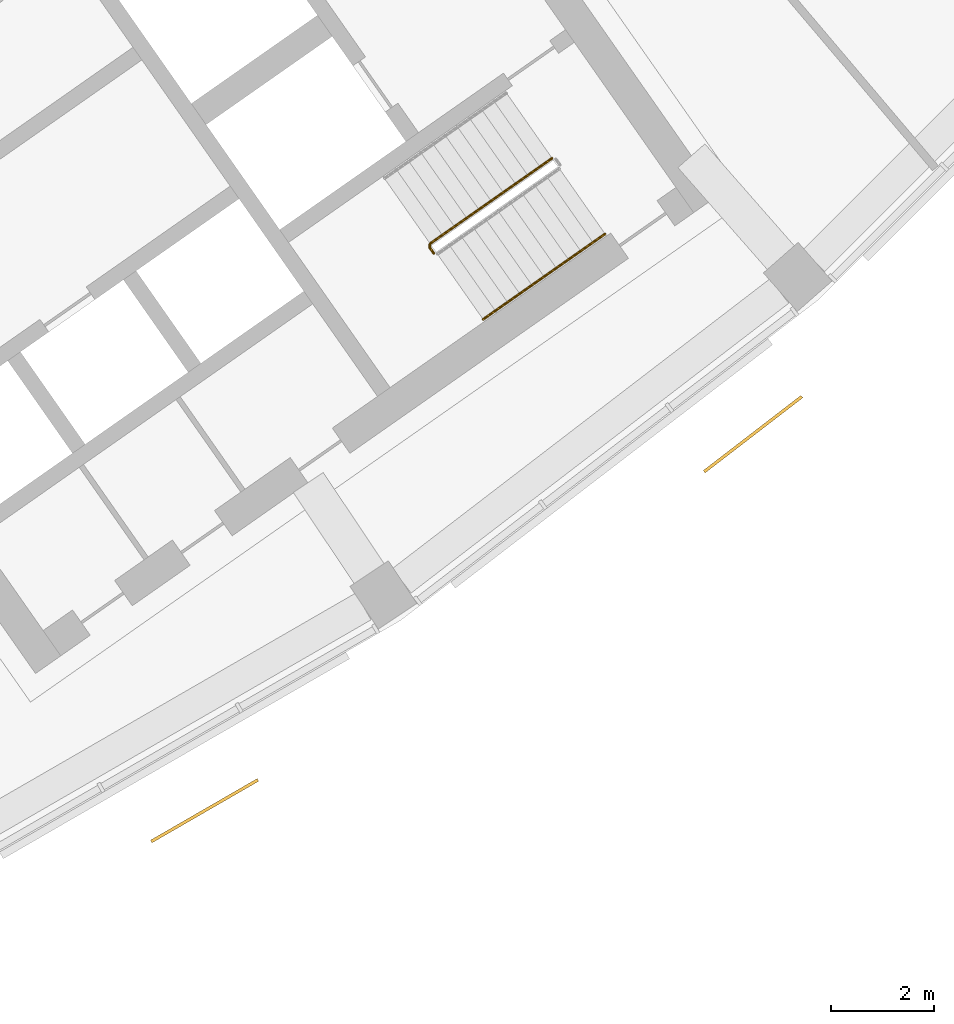
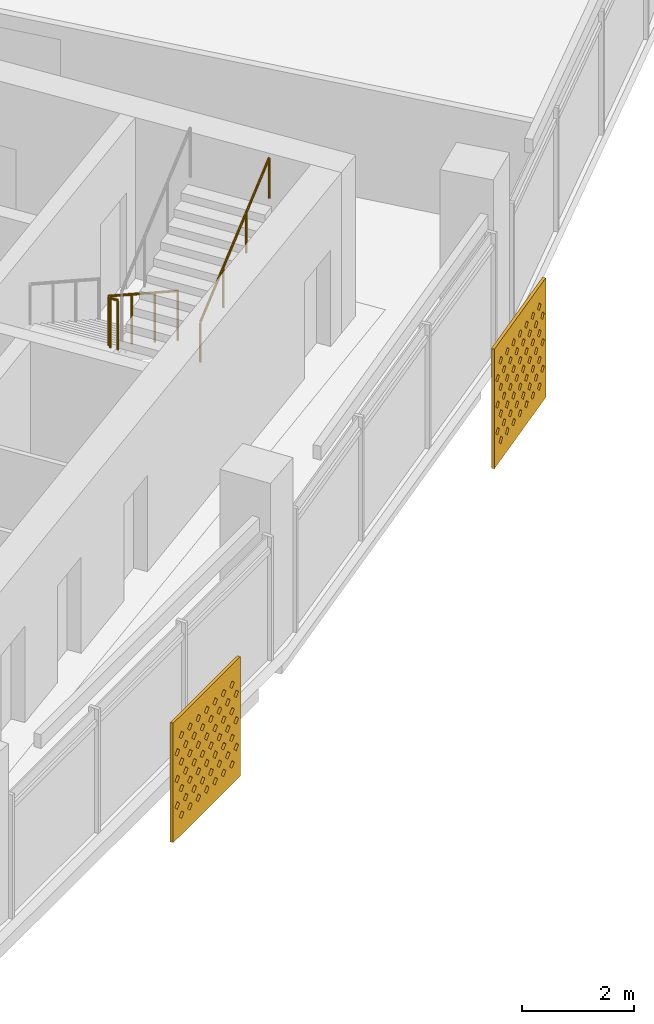
# One storey, part 27 of 28: 2 railings, 2 shading devices.
"""IFC4 building model written with IfcOpenShell, lengths in metres."""

from ifc_helpers import new_model, si_unit, direction, frame, origin, origin_2d, place, context, subcontext, project, spatial, polyline, circle, outline, extrude, material, material_profile, profile_set, type_object, element, save


model = new_model("IFC4")

# Units and contexts
model_context = context("Model", 3, precision=1e-05, world=origin(), true_north=direction((0.0, 1.0)))
body_context = subcontext(model_context, "Body", "Model", "MODEL_VIEW")
ifc_project = project(units=[si_unit("LENGTHUNIT", "METRE"), si_unit("AREAUNIT", "SQUARE_METRE"), si_unit("VOLUMEUNIT", "CUBIC_METRE"), si_unit("PLANEANGLEUNIT", "RADIAN"), si_unit("MASSUNIT", "GRAM", prefix="KILO")], contexts=[model_context])

# Site, building, storey
site_placement = place(None, origin())
site = spatial("IfcSite", under=ifc_project, at=site_placement, CompositionType="ELEMENT")
building_placement = place(site_placement, origin())
building = spatial("IfcBuilding", under=site, at=building_placement, Name="Qamariyya Broadcast Tower", CompositionType="ELEMENT")
storey_placement = place(building_placement, frame((0.0, 0.0, 277.10009765625)))
storey = spatial("IfcBuildingStorey", under=building, at=storey_placement, Name="L67", CompositionType="ELEMENT", Elevation=277.10009765625)

# Shading devices
ifc_material_1 = material(Name="Perforated glazed terracotta", Category="masonry")
ifc_material_profile = material_profile(ifc_material_1, outline(polyline([(-1.199951171875, -1.300048828125), (1.199951171875, -1.300048828125), (1.199951171875, 1.300048828125), (-1.199951171875, 1.300048828125), (-1.199951171875, -1.300048828125)]), holes=[polyline([(-0.81494140625, -0.86669921875), (-0.89990234375, -0.78173828125), (-0.985107421875, -0.86669921875), (-0.89990234375, -0.95166015625), (-0.81494140625, -0.86669921875)]), polyline([(-0.514892578125, -0.86669921875), (-0.60009765625, -0.78173828125), (-0.68505859375, -0.86669921875), (-0.60009765625, -0.95166015625), (-0.514892578125, -0.86669921875)]), polyline([(-0.215087890625, -0.86669921875), (-0.300048828125, -0.78173828125), (-0.385009765625, -0.86669921875), (-0.300048828125, -0.95166015625), (-0.215087890625, -0.86669921875)]), polyline([(0.0849609375, -0.86669921875), (0.0, -0.78173828125), (-0.0849609375, -0.86669921875), (0.0, -0.95166015625), (0.0849609375, -0.86669921875)]), polyline([(0.385009765625, -0.86669921875), (0.300048828125, -0.78173828125), (0.215087890625, -0.86669921875), (0.300048828125, -0.95166015625), (0.385009765625, -0.86669921875)]), polyline([(0.68505859375, -0.86669921875), (0.60009765625, -0.78173828125), (0.514892578125, -0.86669921875), (0.60009765625, -0.95166015625), (0.68505859375, -0.86669921875)]), polyline([(0.985107421875, -0.86669921875), (0.89990234375, -0.78173828125), (0.81494140625, -0.86669921875), (0.89990234375, -0.95166015625), (0.985107421875, -0.86669921875)]), polyline([(-0.965087890625, -0.577880859375), (-1.050048828125, -0.49267578125), (-1.135009765625, -0.577880859375), (-1.050048828125, -0.662841796875), (-0.965087890625, -0.577880859375)]), polyline([(-0.6650390625, -0.577880859375), (-0.75, -0.49267578125), (-0.8349609375, -0.577880859375), (-0.75, -0.662841796875), (-0.6650390625, -0.577880859375)]), polyline([(-0.364990234375, -0.577880859375), (-0.449951171875, -0.49267578125), (-0.534912109375, -0.577880859375), (-0.449951171875, -0.662841796875), (-0.364990234375, -0.577880859375)]), polyline([(-0.06494140625, -0.577880859375), (-0.14990234375, -0.49267578125), (-0.235107421875, -0.577880859375), (-0.14990234375, -0.662841796875), (-0.06494140625, -0.577880859375)]), polyline([(0.235107421875, -0.577880859375), (0.14990234375, -0.49267578125), (0.06494140625, -0.577880859375), (0.14990234375, -0.662841796875), (0.235107421875, -0.577880859375)]), polyline([(0.534912109375, -0.577880859375), (0.449951171875, -0.49267578125), (0.364990234375, -0.577880859375), (0.449951171875, -0.662841796875), (0.534912109375, -0.577880859375)]), polyline([(0.8349609375, -0.577880859375), (0.75, -0.49267578125), (0.6650390625, -0.577880859375), (0.75, -0.662841796875), (0.8349609375, -0.577880859375)]), polyline([(1.135009765625, -0.577880859375), (1.050048828125, -0.49267578125), (0.965087890625, -0.577880859375), (1.050048828125, -0.662841796875), (1.135009765625, -0.577880859375)]), polyline([(-0.81494140625, -0.288818359375), (-0.89990234375, -0.203857421875), (-0.985107421875, -0.288818359375), (-0.89990234375, -0.373779296875), (-0.81494140625, -0.288818359375)]), polyline([(-0.514892578125, -0.288818359375), (-0.60009765625, -0.203857421875), (-0.68505859375, -0.288818359375), (-0.60009765625, -0.373779296875), (-0.514892578125, -0.288818359375)]), polyline([(-0.215087890625, -0.288818359375), (-0.300048828125, -0.203857421875), (-0.385009765625, -0.288818359375), (-0.300048828125, -0.373779296875), (-0.215087890625, -0.288818359375)]), polyline([(0.0849609375, -0.288818359375), (0.0, -0.203857421875), (-0.0849609375, -0.288818359375), (0.0, -0.373779296875), (0.0849609375, -0.288818359375)]), polyline([(0.385009765625, -0.288818359375), (0.300048828125, -0.203857421875), (0.215087890625, -0.288818359375), (0.300048828125, -0.373779296875), (0.385009765625, -0.288818359375)]), polyline([(0.68505859375, -0.288818359375), (0.60009765625, -0.203857421875), (0.514892578125, -0.288818359375), (0.60009765625, -0.373779296875), (0.68505859375, -0.288818359375)]), polyline([(0.985107421875, -0.288818359375), (0.89990234375, -0.203857421875), (0.81494140625, -0.288818359375), (0.89990234375, -0.373779296875), (0.985107421875, -0.288818359375)]), polyline([(-0.965087890625, 0.0), (-1.050048828125, 0.0849609375), (-1.135009765625, 0.0), (-1.050048828125, -0.0849609375), (-0.965087890625, 0.0)]), polyline([(-0.6650390625, 0.0), (-0.75, 0.0849609375), (-0.8349609375, 0.0), (-0.75, -0.0849609375), (-0.6650390625, 0.0)]), polyline([(-0.364990234375, 0.0), (-0.449951171875, 0.0849609375), (-0.534912109375, 0.0), (-0.449951171875, -0.0849609375), (-0.364990234375, 0.0)]), polyline([(-0.06494140625, 0.0), (-0.14990234375, 0.0849609375), (-0.235107421875, 0.0), (-0.14990234375, -0.0849609375), (-0.06494140625, 0.0)]), polyline([(0.235107421875, 0.0), (0.14990234375, 0.0849609375), (0.06494140625, 0.0), (0.14990234375, -0.0849609375), (0.235107421875, 0.0)]), polyline([(0.534912109375, 0.0), (0.449951171875, 0.0849609375), (0.364990234375, 0.0), (0.449951171875, -0.0849609375), (0.534912109375, 0.0)]), polyline([(0.8349609375, 0.0), (0.75, 0.0849609375), (0.6650390625, 0.0), (0.75, -0.0849609375), (0.8349609375, 0.0)]), polyline([(1.135009765625, 0.0), (1.050048828125, 0.0849609375), (0.965087890625, 0.0), (1.050048828125, -0.0849609375), (1.135009765625, 0.0)]), polyline([(-0.81494140625, 0.288818359375), (-0.89990234375, 0.373779296875), (-0.985107421875, 0.288818359375), (-0.89990234375, 0.203857421875), (-0.81494140625, 0.288818359375)]), polyline([(-0.514892578125, 0.288818359375), (-0.60009765625, 0.373779296875), (-0.68505859375, 0.288818359375), (-0.60009765625, 0.203857421875), (-0.514892578125, 0.288818359375)]), polyline([(-0.215087890625, 0.288818359375), (-0.300048828125, 0.373779296875), (-0.385009765625, 0.288818359375), (-0.300048828125, 0.203857421875), (-0.215087890625, 0.288818359375)]), polyline([(0.0849609375, 0.288818359375), (0.0, 0.373779296875), (-0.0849609375, 0.288818359375), (0.0, 0.203857421875), (0.0849609375, 0.288818359375)]), polyline([(0.385009765625, 0.288818359375), (0.300048828125, 0.373779296875), (0.215087890625, 0.288818359375), (0.300048828125, 0.203857421875), (0.385009765625, 0.288818359375)]), polyline([(0.68505859375, 0.288818359375), (0.60009765625, 0.373779296875), (0.514892578125, 0.288818359375), (0.60009765625, 0.203857421875), (0.68505859375, 0.288818359375)]), polyline([(0.985107421875, 0.288818359375), (0.89990234375, 0.373779296875), (0.81494140625, 0.288818359375), (0.89990234375, 0.203857421875), (0.985107421875, 0.288818359375)]), polyline([(-0.965087890625, 0.577880859375), (-1.050048828125, 0.662841796875), (-1.135009765625, 0.577880859375), (-1.050048828125, 0.49267578125), (-0.965087890625, 0.577880859375)]), polyline([(-0.6650390625, 0.577880859375), (-0.75, 0.662841796875), (-0.8349609375, 0.577880859375), (-0.75, 0.49267578125), (-0.6650390625, 0.577880859375)]), polyline([(-0.364990234375, 0.577880859375), (-0.449951171875, 0.662841796875), (-0.534912109375, 0.577880859375), (-0.449951171875, 0.49267578125), (-0.364990234375, 0.577880859375)]), polyline([(-0.06494140625, 0.577880859375), (-0.14990234375, 0.662841796875), (-0.235107421875, 0.577880859375), (-0.14990234375, 0.49267578125), (-0.06494140625, 0.577880859375)]), polyline([(0.235107421875, 0.577880859375), (0.14990234375, 0.662841796875), (0.06494140625, 0.577880859375), (0.14990234375, 0.49267578125), (0.235107421875, 0.577880859375)]), polyline([(0.534912109375, 0.577880859375), (0.449951171875, 0.662841796875), (0.364990234375, 0.577880859375), (0.449951171875, 0.49267578125), (0.534912109375, 0.577880859375)]), polyline([(0.8349609375, 0.577880859375), (0.75, 0.662841796875), (0.6650390625, 0.577880859375), (0.75, 0.49267578125), (0.8349609375, 0.577880859375)]), polyline([(1.135009765625, 0.577880859375), (1.050048828125, 0.662841796875), (0.965087890625, 0.577880859375), (1.050048828125, 0.49267578125), (1.135009765625, 0.577880859375)]), polyline([(-0.81494140625, 0.86669921875), (-0.89990234375, 0.95166015625), (-0.985107421875, 0.86669921875), (-0.89990234375, 0.78173828125), (-0.81494140625, 0.86669921875)]), polyline([(-0.514892578125, 0.86669921875), (-0.60009765625, 0.95166015625), (-0.68505859375, 0.86669921875), (-0.60009765625, 0.78173828125), (-0.514892578125, 0.86669921875)]), polyline([(-0.215087890625, 0.86669921875), (-0.300048828125, 0.95166015625), (-0.385009765625, 0.86669921875), (-0.300048828125, 0.78173828125), (-0.215087890625, 0.86669921875)]), polyline([(0.0849609375, 0.86669921875), (0.0, 0.95166015625), (-0.0849609375, 0.86669921875), (0.0, 0.78173828125), (0.0849609375, 0.86669921875)]), polyline([(0.385009765625, 0.86669921875), (0.300048828125, 0.95166015625), (0.215087890625, 0.86669921875), (0.300048828125, 0.78173828125), (0.385009765625, 0.86669921875)]), polyline([(0.68505859375, 0.86669921875), (0.60009765625, 0.95166015625), (0.514892578125, 0.86669921875), (0.60009765625, 0.78173828125), (0.68505859375, 0.86669921875)]), polyline([(0.985107421875, 0.86669921875), (0.89990234375, 0.95166015625), (0.81494140625, 0.86669921875), (0.89990234375, 0.78173828125), (0.985107421875, 0.86669921875)])]))
ifc_profile_set = profile_set([ifc_material_profile], Name="Perforated glazed terracotta")
shading_device_type = type_object("IfcShadingDeviceType", Name="Perforated terracotta screen 2400 x 2600", PredefinedType="USERDEFINED", material=ifc_profile_set)
shading_device_1_placement = place(storey_placement, frame((39.69921875, -68.8232421875, 1.349853515625), z_axis=(0.500074377092, -0.865982457891, 0.0), x_axis=(0.865982457891, 0.500074377092, 0.0)))
element("IfcShadingDevice", 1, at=shading_device_1_placement, inside=storey, type_object=shading_device_type, Name="e-scr-L67-11-1", ObjectType="SCREEN", PredefinedType="USERDEFINED", context=body_context, shape_type="SweptSolid", body=[
    extrude(outline(polyline([(-1.199951171875, -1.300048828125), (1.199951171875, -1.300048828125), (1.199951171875, 1.300048828125), (-1.199951171875, 1.300048828125), (-1.199951171875, -1.300048828125)]), holes=[polyline([(-0.81494140625, -0.86669921875), (-0.89990234375, -0.78173828125), (-0.985107421875, -0.86669921875), (-0.89990234375, -0.95166015625), (-0.81494140625, -0.86669921875)]), polyline([(-0.514892578125, -0.86669921875), (-0.60009765625, -0.78173828125), (-0.68505859375, -0.86669921875), (-0.60009765625, -0.95166015625), (-0.514892578125, -0.86669921875)]), polyline([(-0.215087890625, -0.86669921875), (-0.300048828125, -0.78173828125), (-0.385009765625, -0.86669921875), (-0.300048828125, -0.95166015625), (-0.215087890625, -0.86669921875)]), polyline([(0.0849609375, -0.86669921875), (0.0, -0.78173828125), (-0.0849609375, -0.86669921875), (0.0, -0.95166015625), (0.0849609375, -0.86669921875)]), polyline([(0.385009765625, -0.86669921875), (0.300048828125, -0.78173828125), (0.215087890625, -0.86669921875), (0.300048828125, -0.95166015625), (0.385009765625, -0.86669921875)]), polyline([(0.68505859375, -0.86669921875), (0.60009765625, -0.78173828125), (0.514892578125, -0.86669921875), (0.60009765625, -0.95166015625), (0.68505859375, -0.86669921875)]), polyline([(0.985107421875, -0.86669921875), (0.89990234375, -0.78173828125), (0.81494140625, -0.86669921875), (0.89990234375, -0.95166015625), (0.985107421875, -0.86669921875)]), polyline([(-0.965087890625, -0.577880859375), (-1.050048828125, -0.49267578125), (-1.135009765625, -0.577880859375), (-1.050048828125, -0.662841796875), (-0.965087890625, -0.577880859375)]), polyline([(-0.6650390625, -0.577880859375), (-0.75, -0.49267578125), (-0.8349609375, -0.577880859375), (-0.75, -0.662841796875), (-0.6650390625, -0.577880859375)]), polyline([(-0.364990234375, -0.577880859375), (-0.449951171875, -0.49267578125), (-0.534912109375, -0.577880859375), (-0.449951171875, -0.662841796875), (-0.364990234375, -0.577880859375)]), polyline([(-0.06494140625, -0.577880859375), (-0.14990234375, -0.49267578125), (-0.235107421875, -0.577880859375), (-0.14990234375, -0.662841796875), (-0.06494140625, -0.577880859375)]), polyline([(0.235107421875, -0.577880859375), (0.14990234375, -0.49267578125), (0.06494140625, -0.577880859375), (0.14990234375, -0.662841796875), (0.235107421875, -0.577880859375)]), polyline([(0.534912109375, -0.577880859375), (0.449951171875, -0.49267578125), (0.364990234375, -0.577880859375), (0.449951171875, -0.662841796875), (0.534912109375, -0.577880859375)]), polyline([(0.8349609375, -0.577880859375), (0.75, -0.49267578125), (0.6650390625, -0.577880859375), (0.75, -0.662841796875), (0.8349609375, -0.577880859375)]), polyline([(1.135009765625, -0.577880859375), (1.050048828125, -0.49267578125), (0.965087890625, -0.577880859375), (1.050048828125, -0.662841796875), (1.135009765625, -0.577880859375)]), polyline([(-0.81494140625, -0.288818359375), (-0.89990234375, -0.203857421875), (-0.985107421875, -0.288818359375), (-0.89990234375, -0.373779296875), (-0.81494140625, -0.288818359375)]), polyline([(-0.514892578125, -0.288818359375), (-0.60009765625, -0.203857421875), (-0.68505859375, -0.288818359375), (-0.60009765625, -0.373779296875), (-0.514892578125, -0.288818359375)]), polyline([(-0.215087890625, -0.288818359375), (-0.300048828125, -0.203857421875), (-0.385009765625, -0.288818359375), (-0.300048828125, -0.373779296875), (-0.215087890625, -0.288818359375)]), polyline([(0.0849609375, -0.288818359375), (0.0, -0.203857421875), (-0.0849609375, -0.288818359375), (0.0, -0.373779296875), (0.0849609375, -0.288818359375)]), polyline([(0.385009765625, -0.288818359375), (0.300048828125, -0.203857421875), (0.215087890625, -0.288818359375), (0.300048828125, -0.373779296875), (0.385009765625, -0.288818359375)]), polyline([(0.68505859375, -0.288818359375), (0.60009765625, -0.203857421875), (0.514892578125, -0.288818359375), (0.60009765625, -0.373779296875), (0.68505859375, -0.288818359375)]), polyline([(0.985107421875, -0.288818359375), (0.89990234375, -0.203857421875), (0.81494140625, -0.288818359375), (0.89990234375, -0.373779296875), (0.985107421875, -0.288818359375)]), polyline([(-0.965087890625, 0.0), (-1.050048828125, 0.0849609375), (-1.135009765625, 0.0), (-1.050048828125, -0.0849609375), (-0.965087890625, 0.0)]), polyline([(-0.6650390625, 0.0), (-0.75, 0.0849609375), (-0.8349609375, 0.0), (-0.75, -0.0849609375), (-0.6650390625, 0.0)]), polyline([(-0.364990234375, 0.0), (-0.449951171875, 0.0849609375), (-0.534912109375, 0.0), (-0.449951171875, -0.0849609375), (-0.364990234375, 0.0)]), polyline([(-0.06494140625, 0.0), (-0.14990234375, 0.0849609375), (-0.235107421875, 0.0), (-0.14990234375, -0.0849609375), (-0.06494140625, 0.0)]), polyline([(0.235107421875, 0.0), (0.14990234375, 0.0849609375), (0.06494140625, 0.0), (0.14990234375, -0.0849609375), (0.235107421875, 0.0)]), polyline([(0.534912109375, 0.0), (0.449951171875, 0.0849609375), (0.364990234375, 0.0), (0.449951171875, -0.0849609375), (0.534912109375, 0.0)]), polyline([(0.8349609375, 0.0), (0.75, 0.0849609375), (0.6650390625, 0.0), (0.75, -0.0849609375), (0.8349609375, 0.0)]), polyline([(1.135009765625, 0.0), (1.050048828125, 0.0849609375), (0.965087890625, 0.0), (1.050048828125, -0.0849609375), (1.135009765625, 0.0)]), polyline([(-0.81494140625, 0.288818359375), (-0.89990234375, 0.373779296875), (-0.985107421875, 0.288818359375), (-0.89990234375, 0.203857421875), (-0.81494140625, 0.288818359375)]), polyline([(-0.514892578125, 0.288818359375), (-0.60009765625, 0.373779296875), (-0.68505859375, 0.288818359375), (-0.60009765625, 0.203857421875), (-0.514892578125, 0.288818359375)]), polyline([(-0.215087890625, 0.288818359375), (-0.300048828125, 0.373779296875), (-0.385009765625, 0.288818359375), (-0.300048828125, 0.203857421875), (-0.215087890625, 0.288818359375)]), polyline([(0.0849609375, 0.288818359375), (0.0, 0.373779296875), (-0.0849609375, 0.288818359375), (0.0, 0.203857421875), (0.0849609375, 0.288818359375)]), polyline([(0.385009765625, 0.288818359375), (0.300048828125, 0.373779296875), (0.215087890625, 0.288818359375), (0.300048828125, 0.203857421875), (0.385009765625, 0.288818359375)]), polyline([(0.68505859375, 0.288818359375), (0.60009765625, 0.373779296875), (0.514892578125, 0.288818359375), (0.60009765625, 0.203857421875), (0.68505859375, 0.288818359375)]), polyline([(0.985107421875, 0.288818359375), (0.89990234375, 0.373779296875), (0.81494140625, 0.288818359375), (0.89990234375, 0.203857421875), (0.985107421875, 0.288818359375)]), polyline([(-0.965087890625, 0.577880859375), (-1.050048828125, 0.662841796875), (-1.135009765625, 0.577880859375), (-1.050048828125, 0.49267578125), (-0.965087890625, 0.577880859375)]), polyline([(-0.6650390625, 0.577880859375), (-0.75, 0.662841796875), (-0.8349609375, 0.577880859375), (-0.75, 0.49267578125), (-0.6650390625, 0.577880859375)]), polyline([(-0.364990234375, 0.577880859375), (-0.449951171875, 0.662841796875), (-0.534912109375, 0.577880859375), (-0.449951171875, 0.49267578125), (-0.364990234375, 0.577880859375)]), polyline([(-0.06494140625, 0.577880859375), (-0.14990234375, 0.662841796875), (-0.235107421875, 0.577880859375), (-0.14990234375, 0.49267578125), (-0.06494140625, 0.577880859375)]), polyline([(0.235107421875, 0.577880859375), (0.14990234375, 0.662841796875), (0.06494140625, 0.577880859375), (0.14990234375, 0.49267578125), (0.235107421875, 0.577880859375)]), polyline([(0.534912109375, 0.577880859375), (0.449951171875, 0.662841796875), (0.364990234375, 0.577880859375), (0.449951171875, 0.49267578125), (0.534912109375, 0.577880859375)]), polyline([(0.8349609375, 0.577880859375), (0.75, 0.662841796875), (0.6650390625, 0.577880859375), (0.75, 0.49267578125), (0.8349609375, 0.577880859375)]), polyline([(1.135009765625, 0.577880859375), (1.050048828125, 0.662841796875), (0.965087890625, 0.577880859375), (1.050048828125, 0.49267578125), (1.135009765625, 0.577880859375)]), polyline([(-0.81494140625, 0.86669921875), (-0.89990234375, 0.95166015625), (-0.985107421875, 0.86669921875), (-0.89990234375, 0.78173828125), (-0.81494140625, 0.86669921875)]), polyline([(-0.514892578125, 0.86669921875), (-0.60009765625, 0.95166015625), (-0.68505859375, 0.86669921875), (-0.60009765625, 0.78173828125), (-0.514892578125, 0.86669921875)]), polyline([(-0.215087890625, 0.86669921875), (-0.300048828125, 0.95166015625), (-0.385009765625, 0.86669921875), (-0.300048828125, 0.78173828125), (-0.215087890625, 0.86669921875)]), polyline([(0.0849609375, 0.86669921875), (0.0, 0.95166015625), (-0.0849609375, 0.86669921875), (0.0, 0.78173828125), (0.0849609375, 0.86669921875)]), polyline([(0.385009765625, 0.86669921875), (0.300048828125, 0.95166015625), (0.215087890625, 0.86669921875), (0.300048828125, 0.78173828125), (0.385009765625, 0.86669921875)]), polyline([(0.68505859375, 0.86669921875), (0.60009765625, 0.95166015625), (0.514892578125, 0.86669921875), (0.60009765625, 0.78173828125), (0.68505859375, 0.86669921875)]), polyline([(0.985107421875, 0.86669921875), (0.89990234375, 0.95166015625), (0.81494140625, 0.86669921875), (0.89990234375, 0.78173828125), (0.985107421875, 0.86669921875)])]), origin(), (0.0, 0.0, 1.0), 0.06005859375),
])
shading_device_2_placement = place(storey_placement, frame((50.37548828125, -61.492919921875, 1.349853515625), z_axis=(0.60971076085, -0.792623989105, 0.0), x_axis=(0.792623989105, 0.60971076085, 0.0)))
element("IfcShadingDevice", 2, at=shading_device_2_placement, inside=storey, type_object=shading_device_type, Name="e-scr-L67-12-2", ObjectType="SCREEN", PredefinedType="USERDEFINED", context=body_context, shape_type="SweptSolid", body=[
    extrude(outline(polyline([(-1.199951171875, -1.300048828125), (1.199951171875, -1.300048828125), (1.199951171875, 1.300048828125), (-1.199951171875, 1.300048828125), (-1.199951171875, -1.300048828125)]), holes=[polyline([(-0.81494140625, -0.86669921875), (-0.89990234375, -0.78173828125), (-0.985107421875, -0.86669921875), (-0.89990234375, -0.95166015625), (-0.81494140625, -0.86669921875)]), polyline([(-0.514892578125, -0.86669921875), (-0.60009765625, -0.78173828125), (-0.68505859375, -0.86669921875), (-0.60009765625, -0.95166015625), (-0.514892578125, -0.86669921875)]), polyline([(-0.215087890625, -0.86669921875), (-0.300048828125, -0.78173828125), (-0.385009765625, -0.86669921875), (-0.300048828125, -0.95166015625), (-0.215087890625, -0.86669921875)]), polyline([(0.0849609375, -0.86669921875), (0.0, -0.78173828125), (-0.0849609375, -0.86669921875), (0.0, -0.95166015625), (0.0849609375, -0.86669921875)]), polyline([(0.385009765625, -0.86669921875), (0.300048828125, -0.78173828125), (0.215087890625, -0.86669921875), (0.300048828125, -0.95166015625), (0.385009765625, -0.86669921875)]), polyline([(0.68505859375, -0.86669921875), (0.60009765625, -0.78173828125), (0.514892578125, -0.86669921875), (0.60009765625, -0.95166015625), (0.68505859375, -0.86669921875)]), polyline([(0.985107421875, -0.86669921875), (0.89990234375, -0.78173828125), (0.81494140625, -0.86669921875), (0.89990234375, -0.95166015625), (0.985107421875, -0.86669921875)]), polyline([(-0.965087890625, -0.577880859375), (-1.050048828125, -0.49267578125), (-1.135009765625, -0.577880859375), (-1.050048828125, -0.662841796875), (-0.965087890625, -0.577880859375)]), polyline([(-0.6650390625, -0.577880859375), (-0.75, -0.49267578125), (-0.8349609375, -0.577880859375), (-0.75, -0.662841796875), (-0.6650390625, -0.577880859375)]), polyline([(-0.364990234375, -0.577880859375), (-0.449951171875, -0.49267578125), (-0.534912109375, -0.577880859375), (-0.449951171875, -0.662841796875), (-0.364990234375, -0.577880859375)]), polyline([(-0.06494140625, -0.577880859375), (-0.14990234375, -0.49267578125), (-0.235107421875, -0.577880859375), (-0.14990234375, -0.662841796875), (-0.06494140625, -0.577880859375)]), polyline([(0.235107421875, -0.577880859375), (0.14990234375, -0.49267578125), (0.06494140625, -0.577880859375), (0.14990234375, -0.662841796875), (0.235107421875, -0.577880859375)]), polyline([(0.534912109375, -0.577880859375), (0.449951171875, -0.49267578125), (0.364990234375, -0.577880859375), (0.449951171875, -0.662841796875), (0.534912109375, -0.577880859375)]), polyline([(0.8349609375, -0.577880859375), (0.75, -0.49267578125), (0.6650390625, -0.577880859375), (0.75, -0.662841796875), (0.8349609375, -0.577880859375)]), polyline([(1.135009765625, -0.577880859375), (1.050048828125, -0.49267578125), (0.965087890625, -0.577880859375), (1.050048828125, -0.662841796875), (1.135009765625, -0.577880859375)]), polyline([(-0.81494140625, -0.288818359375), (-0.89990234375, -0.203857421875), (-0.985107421875, -0.288818359375), (-0.89990234375, -0.373779296875), (-0.81494140625, -0.288818359375)]), polyline([(-0.514892578125, -0.288818359375), (-0.60009765625, -0.203857421875), (-0.68505859375, -0.288818359375), (-0.60009765625, -0.373779296875), (-0.514892578125, -0.288818359375)]), polyline([(-0.215087890625, -0.288818359375), (-0.300048828125, -0.203857421875), (-0.385009765625, -0.288818359375), (-0.300048828125, -0.373779296875), (-0.215087890625, -0.288818359375)]), polyline([(0.0849609375, -0.288818359375), (0.0, -0.203857421875), (-0.0849609375, -0.288818359375), (0.0, -0.373779296875), (0.0849609375, -0.288818359375)]), polyline([(0.385009765625, -0.288818359375), (0.300048828125, -0.203857421875), (0.215087890625, -0.288818359375), (0.300048828125, -0.373779296875), (0.385009765625, -0.288818359375)]), polyline([(0.68505859375, -0.288818359375), (0.60009765625, -0.203857421875), (0.514892578125, -0.288818359375), (0.60009765625, -0.373779296875), (0.68505859375, -0.288818359375)]), polyline([(0.985107421875, -0.288818359375), (0.89990234375, -0.203857421875), (0.81494140625, -0.288818359375), (0.89990234375, -0.373779296875), (0.985107421875, -0.288818359375)]), polyline([(-0.965087890625, 0.0), (-1.050048828125, 0.0849609375), (-1.135009765625, 0.0), (-1.050048828125, -0.0849609375), (-0.965087890625, 0.0)]), polyline([(-0.6650390625, 0.0), (-0.75, 0.0849609375), (-0.8349609375, 0.0), (-0.75, -0.0849609375), (-0.6650390625, 0.0)]), polyline([(-0.364990234375, 0.0), (-0.449951171875, 0.0849609375), (-0.534912109375, 0.0), (-0.449951171875, -0.0849609375), (-0.364990234375, 0.0)]), polyline([(-0.06494140625, 0.0), (-0.14990234375, 0.0849609375), (-0.235107421875, 0.0), (-0.14990234375, -0.0849609375), (-0.06494140625, 0.0)]), polyline([(0.235107421875, 0.0), (0.14990234375, 0.0849609375), (0.06494140625, 0.0), (0.14990234375, -0.0849609375), (0.235107421875, 0.0)]), polyline([(0.534912109375, 0.0), (0.449951171875, 0.0849609375), (0.364990234375, 0.0), (0.449951171875, -0.0849609375), (0.534912109375, 0.0)]), polyline([(0.8349609375, 0.0), (0.75, 0.0849609375), (0.6650390625, 0.0), (0.75, -0.0849609375), (0.8349609375, 0.0)]), polyline([(1.135009765625, 0.0), (1.050048828125, 0.0849609375), (0.965087890625, 0.0), (1.050048828125, -0.0849609375), (1.135009765625, 0.0)]), polyline([(-0.81494140625, 0.288818359375), (-0.89990234375, 0.373779296875), (-0.985107421875, 0.288818359375), (-0.89990234375, 0.203857421875), (-0.81494140625, 0.288818359375)]), polyline([(-0.514892578125, 0.288818359375), (-0.60009765625, 0.373779296875), (-0.68505859375, 0.288818359375), (-0.60009765625, 0.203857421875), (-0.514892578125, 0.288818359375)]), polyline([(-0.215087890625, 0.288818359375), (-0.300048828125, 0.373779296875), (-0.385009765625, 0.288818359375), (-0.300048828125, 0.203857421875), (-0.215087890625, 0.288818359375)]), polyline([(0.0849609375, 0.288818359375), (0.0, 0.373779296875), (-0.0849609375, 0.288818359375), (0.0, 0.203857421875), (0.0849609375, 0.288818359375)]), polyline([(0.385009765625, 0.288818359375), (0.300048828125, 0.373779296875), (0.215087890625, 0.288818359375), (0.300048828125, 0.203857421875), (0.385009765625, 0.288818359375)]), polyline([(0.68505859375, 0.288818359375), (0.60009765625, 0.373779296875), (0.514892578125, 0.288818359375), (0.60009765625, 0.203857421875), (0.68505859375, 0.288818359375)]), polyline([(0.985107421875, 0.288818359375), (0.89990234375, 0.373779296875), (0.81494140625, 0.288818359375), (0.89990234375, 0.203857421875), (0.985107421875, 0.288818359375)]), polyline([(-0.965087890625, 0.577880859375), (-1.050048828125, 0.662841796875), (-1.135009765625, 0.577880859375), (-1.050048828125, 0.49267578125), (-0.965087890625, 0.577880859375)]), polyline([(-0.6650390625, 0.577880859375), (-0.75, 0.662841796875), (-0.8349609375, 0.577880859375), (-0.75, 0.49267578125), (-0.6650390625, 0.577880859375)]), polyline([(-0.364990234375, 0.577880859375), (-0.449951171875, 0.662841796875), (-0.534912109375, 0.577880859375), (-0.449951171875, 0.49267578125), (-0.364990234375, 0.577880859375)]), polyline([(-0.06494140625, 0.577880859375), (-0.14990234375, 0.662841796875), (-0.235107421875, 0.577880859375), (-0.14990234375, 0.49267578125), (-0.06494140625, 0.577880859375)]), polyline([(0.235107421875, 0.577880859375), (0.14990234375, 0.662841796875), (0.06494140625, 0.577880859375), (0.14990234375, 0.49267578125), (0.235107421875, 0.577880859375)]), polyline([(0.534912109375, 0.577880859375), (0.449951171875, 0.662841796875), (0.364990234375, 0.577880859375), (0.449951171875, 0.49267578125), (0.534912109375, 0.577880859375)]), polyline([(0.8349609375, 0.577880859375), (0.75, 0.662841796875), (0.6650390625, 0.577880859375), (0.75, 0.49267578125), (0.8349609375, 0.577880859375)]), polyline([(1.135009765625, 0.577880859375), (1.050048828125, 0.662841796875), (0.965087890625, 0.577880859375), (1.050048828125, 0.49267578125), (1.135009765625, 0.577880859375)]), polyline([(-0.81494140625, 0.86669921875), (-0.89990234375, 0.95166015625), (-0.985107421875, 0.86669921875), (-0.89990234375, 0.78173828125), (-0.81494140625, 0.86669921875)]), polyline([(-0.514892578125, 0.86669921875), (-0.60009765625, 0.95166015625), (-0.68505859375, 0.86669921875), (-0.60009765625, 0.78173828125), (-0.514892578125, 0.86669921875)]), polyline([(-0.215087890625, 0.86669921875), (-0.300048828125, 0.95166015625), (-0.385009765625, 0.86669921875), (-0.300048828125, 0.78173828125), (-0.215087890625, 0.86669921875)]), polyline([(0.0849609375, 0.86669921875), (0.0, 0.95166015625), (-0.0849609375, 0.86669921875), (0.0, 0.78173828125), (0.0849609375, 0.86669921875)]), polyline([(0.385009765625, 0.86669921875), (0.300048828125, 0.95166015625), (0.215087890625, 0.86669921875), (0.300048828125, 0.78173828125), (0.385009765625, 0.86669921875)]), polyline([(0.68505859375, 0.86669921875), (0.60009765625, 0.95166015625), (0.514892578125, 0.86669921875), (0.60009765625, 0.78173828125), (0.68505859375, 0.86669921875)]), polyline([(0.985107421875, 0.86669921875), (0.89990234375, 0.95166015625), (0.81494140625, 0.86669921875), (0.89990234375, 0.78173828125), (0.985107421875, 0.86669921875)])]), origin(), (0.0, 0.0, 1.0), 0.06005859375),
])

# Railings
ifc_material_2 = material(Name="Painted steel", Category="steel")
railing_type_1 = type_object("IfcRailingType", Name="Stair guard", PredefinedType="GUARDRAIL", material=ifc_material_2)
railing_1_placement = place(storey_placement, frame((46.48095703125, -56.14306640625, 0.172607421875)))
element("IfcRailing", 3, at=railing_1_placement, inside=storey, type_object=railing_type_1, Name="L67 ST-E1 stair guard 1", PredefinedType="GUARDRAIL", context=body_context, shape_type="SweptSolid", body=[
    extrude(circle(Radius=0.02392578125, at=origin_2d()), frame((0.0, 0.0, 1.076171875), z_axis=(-0.703770094002, -0.492783725636, 0.511734163933), x_axis=(0.573575343427, -0.819152809562, 0.0)), (0.0, 0.0, 1.0), 3.37548828125),
    extrude(circle(Radius=0.02392578125, at=origin_2d()), frame((-2.37548828125, -1.663330078125, 2.80322265625), z_axis=(-0.176149252506, -0.984363469884, 0.0), x_axis=(0.984363469884, -0.176149252506, 0.0)), (0.0, 0.0, 1.0), 0.07080078125),
    extrude(circle(Radius=0.02392578125, at=origin_2d()), frame((-2.387939453125, -1.73291015625, 2.80322265625), z_axis=(0.574444878118, -0.818543268254, 0.0), x_axis=(0.818543268254, 0.574444878118, 0.0)), (0.0, 0.0, 1.0), 0.150146484375),
    extrude(circle(Radius=0.02099609375, at=origin_2d()), origin(), (0.0, 0.0, 1.0), 1.052001953125),
    extrude(circle(Radius=0.02099609375, at=origin_2d()), frame((-0.791748046875, -0.554443359375, 0.57568359375)), (0.0, 0.0, 1.0), 1.052001953125),
    extrude(circle(Radius=0.02099609375, at=origin_2d()), frame((-1.583740234375, -1.10888671875, 1.151611328125)), (0.0, 0.0, 1.0), 1.052001953125),
    extrude(circle(Radius=0.02099609375, at=origin_2d()), frame((-2.37548828125, -1.663330078125, 1.727294921875)), (0.0, 0.0, 1.0), 1.052001953125),
    extrude(circle(Radius=0.02099609375, at=origin_2d()), frame((-2.387939453125, -1.73291015625, 1.727294921875)), (0.0, 0.0, 1.0), 1.052001953125),
    extrude(circle(Radius=0.02099609375, at=origin_2d()), frame((-2.3017578125, -1.855712890625, 1.727294921875)), (0.0, 0.0, 1.0), 1.052001953125),
])
ifc_material_3 = material(Name="Stainless steel", Category="steel")
railing_type_2 = type_object("IfcRailingType", Name="Stair handrail", PredefinedType="HANDRAIL", material=ifc_material_3)
railing_2_placement = place(storey_placement, frame((45.137939453125, -59.28076171875, 2.072509765625)))
element("IfcRailing", 4, at=railing_2_placement, inside=storey, type_object=railing_type_2, Name="L67 ST-E1 stair handrail 2", PredefinedType="HANDRAIL", context=body_context, shape_type="SweptSolid", body=[
    extrude(circle(Radius=0.02392578125, at=origin_2d()), frame((0.0, 0.0, 0.8759765625), z_axis=(0.703770094002, 0.492783725636, 0.511734163933), x_axis=(-0.573575343427, 0.819152809562, 0.0)), (0.0, 0.0, 1.0), 3.37548828125),
    extrude(circle(Radius=0.02099609375, at=origin_2d()), origin(), (0.0, 0.0, 1.0), 0.851806640625),
    extrude(circle(Radius=0.02099609375, at=origin_2d()), frame((0.791748046875, 0.554443359375, 0.57568359375)), (0.0, 0.0, 1.0), 0.851806640625),
    extrude(circle(Radius=0.02099609375, at=origin_2d()), frame((1.583740234375, 1.10888671875, 1.151611328125)), (0.0, 0.0, 1.0), 0.851806640625),
    extrude(circle(Radius=0.02099609375, at=origin_2d()), frame((2.37548828125, 1.663330078125, 1.727294921875)), (0.0, 0.0, 1.0), 0.851806640625),
])

save(model, "model.ifc")
